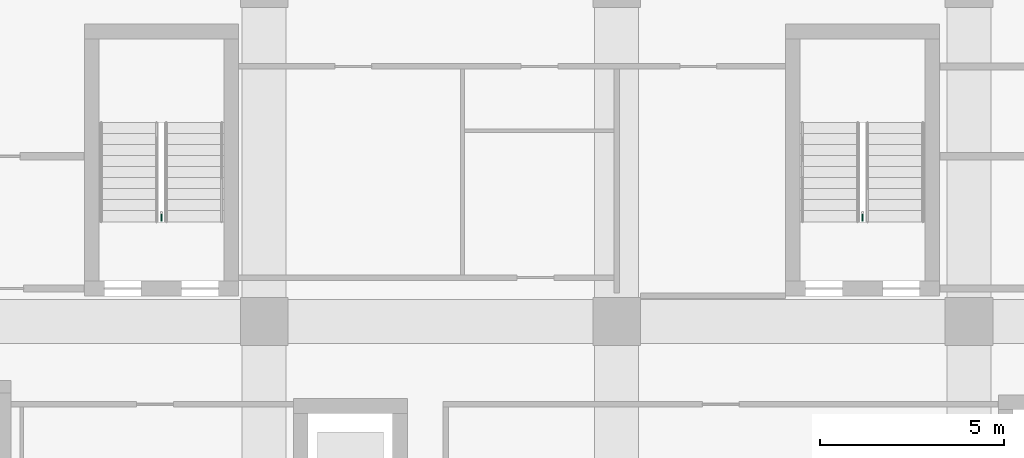
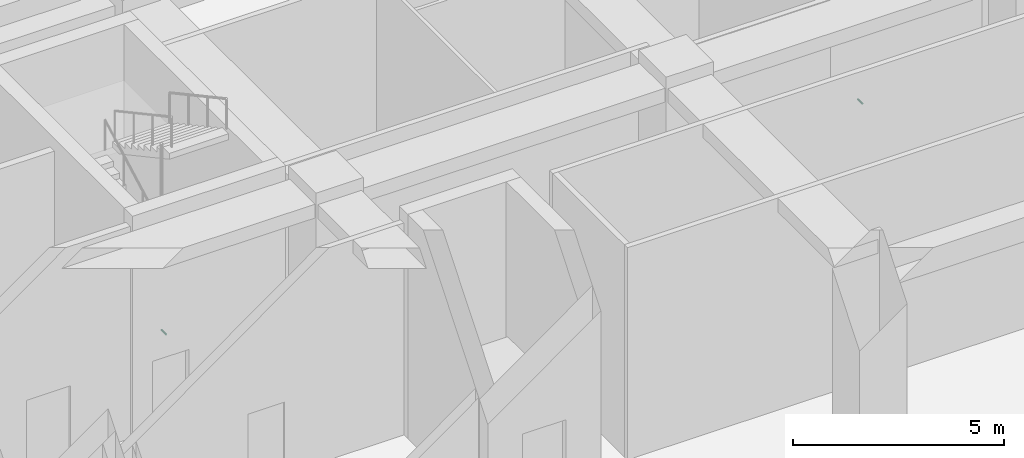
# One storey, part 40 of 45: 2 pipe fittings.
"""IFC4 building model written with IfcOpenShell, lengths in metres."""

from ifc_helpers import new_model, si_unit, direction, frame, origin, origin_2d, place, context, subcontext, project, spatial, circle, extrude, element, save


model = new_model("IFC4")

# Units and contexts
model_context = context("Model", 3, precision=1e-05, world=origin(), true_north=direction((0.0, 1.0)))
body_context = subcontext(model_context, "Body", "Model", "MODEL_VIEW")
ifc_project = project(units=[si_unit("LENGTHUNIT", "METRE"), si_unit("AREAUNIT", "SQUARE_METRE"), si_unit("VOLUMEUNIT", "CUBIC_METRE"), si_unit("PLANEANGLEUNIT", "RADIAN"), si_unit("MASSUNIT", "GRAM", prefix="KILO")], contexts=[model_context])

# Site, building, storey
site_placement = place(None, origin())
site = spatial("IfcSite", under=ifc_project, at=site_placement, CompositionType="ELEMENT")
building_placement = place(site_placement, origin())
building = spatial("IfcBuilding", under=site, at=building_placement, Name="Nzadi Deep Aquarium and Research Tower", CompositionType="ELEMENT")
storey_placement = place(building_placement, origin())
storey = spatial("IfcBuildingStorey", under=building, at=storey_placement, Name="G", CompositionType="ELEMENT", Elevation=0.0)

# Pipe fittings
for number, where, z_axis, x_axis, name in (
    (1, (6.800048828125, 39.77001953125, 1.10009765625), (0.0, -1.0, 0.0), (1.0, 0.0, 0.0), "Dry riser outlet ST-Z1-NW G"),
    (2, (25.89990234375, 39.77001953125, 1.10009765625), (0.0, -1.0, 0.0), (1.0, 0.0, 0.0), "Dry riser outlet ST-Z1-NE G"),
):
    element("IfcPipeFitting", number, at=place(storey_placement, frame(where, z_axis=z_axis, x_axis=x_axis)), inside=storey, Name=name, PredefinedType="EXIT", context=body_context, shape_type="SweptSolid", body=[
        extrude(circle(Radius=0.0224609375, at=origin_2d()), origin(), (0.0, 0.0, 1.0), 0.22998046875),
    ])

save(model, "model.ifc")
